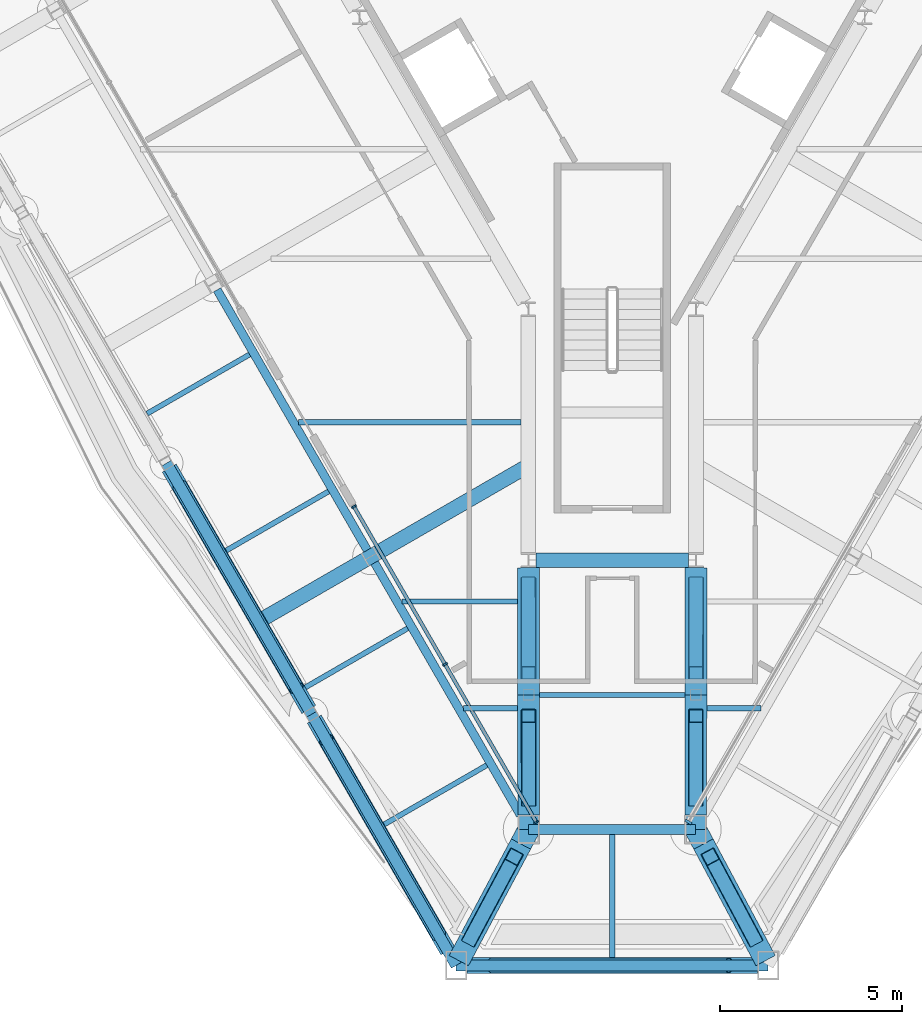
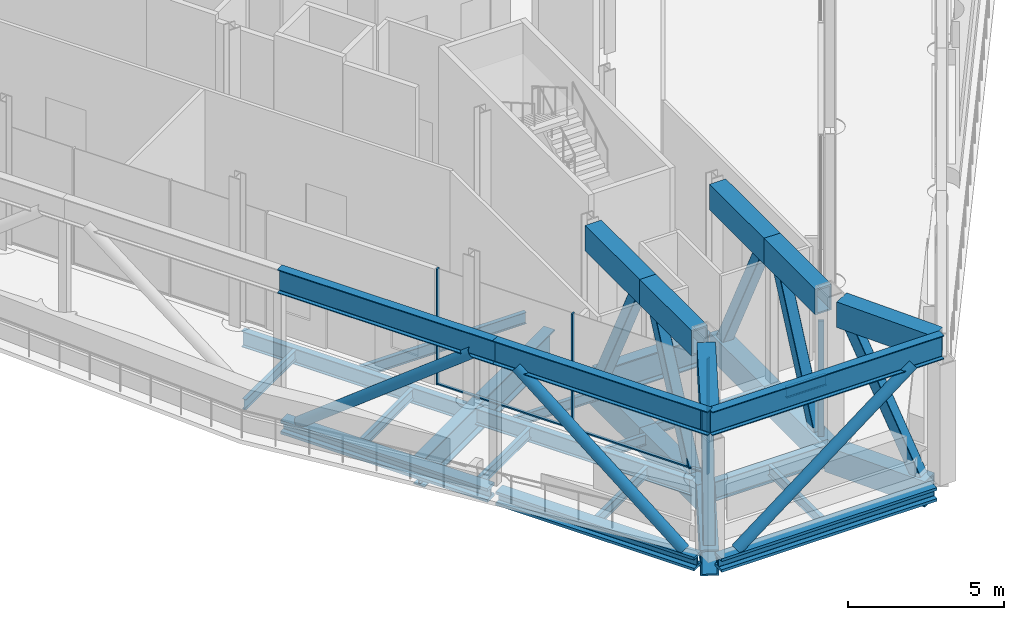
# One storey, part 5 of 24: 33 beams, 15 members, 2 elements without a shape of their own.
"""IFC4 building model written with IfcOpenShell, lengths in metres."""

from ifc_helpers import new_model, si_unit, direction, frame, origin, origin_2d, place, context, subcontext, project, spatial, rectangle, hollow_rectangle, hollow_circle, i_section, extrude, material, material_profile, profile_set, type_object, element, aggregate, save


model = new_model("IFC4")

# Units and contexts
model_context = context("Model", 3, precision=1e-05, world=origin(), true_north=direction((0.0, 1.0)))
body_context = subcontext(model_context, "Body", "Model", "MODEL_VIEW")
ifc_project = project(units=[si_unit("LENGTHUNIT", "METRE"), si_unit("AREAUNIT", "SQUARE_METRE"), si_unit("VOLUMEUNIT", "CUBIC_METRE"), si_unit("PLANEANGLEUNIT", "RADIAN"), si_unit("MASSUNIT", "GRAM", prefix="KILO")], contexts=[model_context])

# Site, building, storey
site_placement = place(None, origin())
site = spatial("IfcSite", under=ifc_project, at=site_placement, CompositionType="ELEMENT")
building_placement = place(site_placement, origin())
building = spatial("IfcBuilding", under=site, at=building_placement, Name="Verrane Prism Tower", CompositionType="ELEMENT")
storey_placement = place(building_placement, frame((0.0, 0.0, 200.60009765625)))
storey = spatial("IfcBuildingStorey", under=building, at=storey_placement, Name="L50", CompositionType="ELEMENT", Elevation=200.60009765625)

# Beams
ifc_material_1 = material(Name="Steel A992", Category="steel")
ifc_material_profile_1 = material_profile(ifc_material_1, i_section(OverallWidth=0.44189453125, OverallDepth=0.53076171875, WebThickness=0.06591796875, FlangeThickness=0.105712890625, FilletRadius=0.01513671875, at=origin_2d()), Name="W14x605")
ifc_profile_set_1 = profile_set([ifc_material_profile_1], Name="Steel A992")
beam_type_1 = type_object("IfcBeamType", Name="Belt truss chord W14x605", PredefinedType="BEAM", material=ifc_profile_set_1)
beam_1_placement = place(storey_placement, frame((-12.15380859375, -16.3720703125, -0.4248046875), z_axis=(0.500208494112, -0.865904996185, 0.0), x_axis=(0.865904996185, 0.500208494112, 0.0)))
element("IfcBeam", 1, at=beam_1_placement, inside=storey, type_object=beam_type_1, Name="Belt truss chord L50", PredefinedType="BEAM", context=body_context, shape_type="SweptSolid", body=[
    extrude(i_section(OverallWidth=0.44189453125, OverallDepth=0.53076171875, WebThickness=0.06591796875, FlangeThickness=0.105712890625, FilletRadius=0.01513671875, at=origin_2d()), origin(), (0.0, 0.0, 1.0), 7.652099609375),
])
beam_2_placement = place(storey_placement, frame((-8.173828125, -23.261962890625, -0.4248046875), z_axis=(0.499227926312, -0.866470702096, 0.0), x_axis=(0.866470702096, 0.499227926312, 0.0)))
element("IfcBeam", 2, at=beam_2_placement, inside=storey, type_object=beam_type_1, Name="Belt truss chord L50", PredefinedType="BEAM", context=body_context, shape_type="SweptSolid", body=[
    extrude(i_section(OverallWidth=0.44189453125, OverallDepth=0.53076171875, WebThickness=0.06591796875, FlangeThickness=0.105712890625, FilletRadius=0.01513671875, at=origin_2d()), origin(), (0.0, 0.0, 1.0), 7.337890625),
])
beam_3_placement = place(storey_placement, frame((-3.97998046875, -30.02001953125, -0.4248046875), z_axis=(1.0, 0.0, 0.0), x_axis=(0.0, 1.0, 0.0)))
element("IfcBeam", 3, at=beam_3_placement, inside=storey, type_object=beam_type_1, Name="Belt truss chord L50", PredefinedType="BEAM", context=body_context, shape_type="SweptSolid", body=[
    extrude(i_section(OverallWidth=0.44189453125, OverallDepth=0.53076171875, WebThickness=0.06591796875, FlangeThickness=0.105712890625, FilletRadius=0.01513671875, at=origin_2d()), origin(), (0.0, 0.0, 1.0), 7.9599609375),
])
ifc_material_2 = material(Name="Steel A992", Category="steel")
ifc_material_profile_2 = material_profile(ifc_material_2, i_section(OverallWidth=0.307373046875, OverallDepth=0.927001953125, WebThickness=0.01953125, FlangeThickness=0.031982421875, FilletRadius=0.01904296875, at=origin_2d()), Name="W36x194")
ifc_profile_set_2 = profile_set([ifc_material_profile_2], Name="Steel A992")
beam_type_2 = type_object("IfcBeamType", Name="Belt truss chord W36x194", PredefinedType="BEAM", material=ifc_profile_set_2)
beam_4_placement = place(storey_placement, frame((-12.22998046875, -16.239990234375, 5.176513671875), z_axis=(0.500197848917, -0.865911145522, 0.0), x_axis=(0.865911145522, 0.500197848917, 0.0)))
element("IfcBeam", 4, at=beam_4_placement, inside=storey, type_object=beam_type_2, Name="Belt truss chord L50", PredefinedType="BEAM", context=body_context, shape_type="SweptSolid", body=[
    extrude(i_section(OverallWidth=0.307373046875, OverallDepth=0.927001953125, WebThickness=0.01953125, FlangeThickness=0.031982421875, FilletRadius=0.01904296875, at=origin_2d()), origin(), (0.0, 0.0, 1.0), 7.956787109375),
])
beam_5_placement = place(storey_placement, frame((-8.25, -23.1298828125, 5.176513671875), z_axis=(0.4992404173, -0.866463505137, 0.0), x_axis=(0.866463505137, 0.4992404173, 0.0)))
element("IfcBeam", 5, at=beam_5_placement, inside=storey, type_object=beam_type_2, Name="Belt truss chord L50", PredefinedType="BEAM", context=body_context, shape_type="SweptSolid", body=[
    extrude(i_section(OverallWidth=0.307373046875, OverallDepth=0.927001953125, WebThickness=0.01953125, FlangeThickness=0.031982421875, FilletRadius=0.01904296875, at=origin_2d()), origin(), (0.0, 0.0, 1.0), 7.951904296875),
])
beam_6_placement = place(storey_placement, frame((-4.280029296875, -30.02001953125, 5.176513671875), z_axis=(1.0, 0.0, 0.0), x_axis=(0.0, 1.0, 0.0)))
element("IfcBeam", 6, at=beam_6_placement, inside=storey, type_object=beam_type_2, Name="Belt truss chord L50", PredefinedType="BEAM", context=body_context, shape_type="SweptSolid", body=[
    extrude(i_section(OverallWidth=0.307373046875, OverallDepth=0.927001953125, WebThickness=0.01953125, FlangeThickness=0.031982421875, FilletRadius=0.01904296875, at=origin_2d()), origin(), (0.0, 0.0, 1.0), 8.56005859375),
])

# Members
ifc_material_3 = material(Name="Steel A500 Grade C", Category="steel")
ifc_material_profile_3 = material_profile(ifc_material_3, hollow_circle(Radius=0.203125, WallThickness=0.0126953125, at=origin_2d()), Name="HSS16.000x0.500")
ifc_profile_set_3 = profile_set([ifc_material_profile_3], Name="Steel A500 Grade C")
member_type_1 = type_object("IfcMemberType", Name="Belt truss diagonal HSS16.000x0.500", PredefinedType="BRACE", material=ifc_profile_set_3)
member_1_placement = place(storey_placement, frame((-3.310302734375, -30.02001953125, -0.1591796875), z_axis=(0.793941121087, 0.0, 0.607994651495), x_axis=(0.0, 1.0, 0.0)))
element("IfcMember", 7, at=member_1_placement, inside=storey, type_object=member_type_1, Name="Belt truss diagonal L50", PredefinedType="BRACE", context=body_context, shape_type="SweptSolid", body=[
    extrude(hollow_circle(Radius=0.203125, WallThickness=0.0126953125, at=origin_2d()), origin(), (0.0, 0.0, 1.0), 8.2021484375),
])
member_2_placement = place(storey_placement, frame((-11.871337890625, -16.86083984375, -0.1591796875), z_axis=(0.39493033552, -0.683684649303, 0.61368178268), x_axis=(0.86591305348, 0.500194545965, 0.0)))
element("IfcMember", 8, at=member_2_placement, inside=storey, type_object=member_type_1, Name="Belt truss diagonal L50", PredefinedType="BRACE", context=body_context, shape_type="SweptSolid", body=[
    extrude(hollow_circle(Radius=0.203125, WallThickness=0.0126953125, at=origin_2d()), origin(), (0.0, 0.0, 1.0), 8.1259765625),
])
member_3_placement = place(storey_placement, frame((-4.755615234375, -29.194580078125, -0.1591796875), z_axis=(-0.388800054285, 0.674779999428, 0.627300940666), x_axis=(-0.866461191339, -0.499244433022, 0.0)))
element("IfcMember", 9, at=member_3_placement, inside=storey, type_object=member_type_1, Name="Belt truss diagonal L50", PredefinedType="BRACE", context=body_context, shape_type="SweptSolid", body=[
    extrude(hollow_circle(Radius=0.203125, WallThickness=0.0126953125, at=origin_2d()), origin(), (0.0, 0.0, 1.0), 7.94970703125),
])

# Beams
ifc_material_4 = material(Name="Steel A992", Category="steel")
ifc_material_profile_4 = material_profile(ifc_material_4, i_section(OverallWidth=0.2666015625, OverallDepth=0.7568359375, WebThickness=0.013916015625, FlangeThickness=0.019287109375, FilletRadius=0.0166015625, at=origin_2d()), Name="W30x108")
ifc_profile_set_4 = profile_set([ifc_material_profile_4], Name="Steel A992")
beam_type_3 = type_object("IfcBeamType", Name="Chamfer spandrel beam W30x108", PredefinedType="SPANDREL", material=ifc_profile_set_4)
beam_7_placement = place(storey_placement, frame((-2.2900390625, -26.2900390625, -0.53857421875), z_axis=(1.0, 0.0, 0.0), x_axis=(0.0, 1.0, 0.0)))
element("IfcBeam", 10, at=beam_7_placement, inside=storey, type_object=beam_type_3, Name="Chamfer spandrel beam L50", PredefinedType="SPANDREL", context=body_context, shape_type="SweptSolid", body=[
    extrude(i_section(OverallWidth=0.2666015625, OverallDepth=0.7568359375, WebThickness=0.013916015625, FlangeThickness=0.019287109375, FilletRadius=0.0166015625, at=origin_2d()), origin(), (0.0, 0.0, 1.0), 4.580078125),
])
ifc_material_5 = material(Name="Steel A992", Category="steel")
ifc_material_profile_5 = material_profile(ifc_material_5, i_section(OverallWidth=0.140380859375, OverallDepth=0.40380859375, WebThickness=0.007080078125, FlangeThickness=0.01123046875, FilletRadius=0.01025390625, at=origin_2d()), Name="W16x31")
ifc_profile_set_5 = profile_set([ifc_material_profile_5], Name="Steel A992")
beam_type_4 = type_object("IfcBeamType", Name="Floor beam W16x31", PredefinedType="BEAM", material=ifc_profile_set_5)
beam_8_placement = place(storey_placement, frame((-6.25439453125, -26.15087890625, -0.362060546875), z_axis=(0.866027848477, 0.499995765644, 0.0), x_axis=(-0.499995765644, 0.866027848477, 0.0)))
element("IfcBeam", 11, at=beam_8_placement, inside=storey, type_object=beam_type_4, Name="Floor beam L50", PredefinedType="BEAM", context=body_context, shape_type="SweptSolid", body=[
    extrude(i_section(OverallWidth=0.140380859375, OverallDepth=0.40380859375, WebThickness=0.007080078125, FlangeThickness=0.01123046875, FilletRadius=0.01025390625, at=origin_2d()), origin(), (0.0, 0.0, 1.0), 3.24755859375),
])
beam_9_placement = place(storey_placement, frame((-8.4208984375, -22.392578125, -0.362060546875), z_axis=(0.866028841934, 0.499994044904, 0.0), x_axis=(-0.499994044904, 0.866028841934, 0.0)))
element("IfcBeam", 12, at=beam_9_placement, inside=storey, type_object=beam_type_4, Name="Floor beam L50", PredefinedType="BEAM", context=body_context, shape_type="SweptSolid", body=[
    extrude(i_section(OverallWidth=0.140380859375, OverallDepth=0.40380859375, WebThickness=0.007080078125, FlangeThickness=0.01123046875, FilletRadius=0.01025390625, at=origin_2d()), origin(), (0.0, 0.0, 1.0), 3.2421875),
])
beam_10_placement = place(storey_placement, frame((-10.590576171875, -18.63623046875, -0.362060546875), z_axis=(0.86601506192, 0.500017912207, 0.0), x_axis=(-0.500017912207, 0.86601506192, 0.0)))
element("IfcBeam", 13, at=beam_10_placement, inside=storey, type_object=beam_type_4, Name="Floor beam L50", PredefinedType="BEAM", context=body_context, shape_type="SweptSolid", body=[
    extrude(i_section(OverallWidth=0.140380859375, OverallDepth=0.40380859375, WebThickness=0.007080078125, FlangeThickness=0.01123046875, FilletRadius=0.01025390625, at=origin_2d()), origin(), (0.0, 0.0, 1.0), 3.24267578125),
])
beam_11_placement = place(storey_placement, frame((-12.760009765625, -14.879638671875, -0.362060546875), z_axis=(0.866021460221, 0.500006830391, 0.0), x_axis=(-0.500006830391, 0.866021460221, 0.0)))
element("IfcBeam", 14, at=beam_11_placement, inside=storey, type_object=beam_type_4, Name="Floor beam L50", PredefinedType="BEAM", context=body_context, shape_type="SweptSolid", body=[
    extrude(i_section(OverallWidth=0.140380859375, OverallDepth=0.40380859375, WebThickness=0.007080078125, FlangeThickness=0.01123046875, FilletRadius=0.01025390625, at=origin_2d()), origin(), (0.0, 0.0, 1.0), 3.2451171875),
])
beam_12_placement = place(storey_placement, frame((-4.080322265625, -22.96337890625, -0.362060546875), z_axis=(1.0, 0.0, 0.0), x_axis=(0.0, 1.0, 0.0)))
element("IfcBeam", 15, at=beam_12_placement, inside=storey, type_object=beam_type_4, Name="Floor beam L50", PredefinedType="BEAM", context=body_context, shape_type="SweptSolid", body=[
    extrude(i_section(OverallWidth=0.140380859375, OverallDepth=0.40380859375, WebThickness=0.007080078125, FlangeThickness=0.01123046875, FilletRadius=0.01025390625, at=origin_2d()), origin(), (0.0, 0.0, 1.0), 1.48583984375),
])
beam_13_placement = place(storey_placement, frame((-5.772216796875, -20.03662109375, -0.362060546875), z_axis=(1.0, 0.0, 0.0), x_axis=(0.0, 1.0, 0.0)))
element("IfcBeam", 16, at=beam_13_placement, inside=storey, type_object=beam_type_4, Name="Floor beam L50", PredefinedType="BEAM", context=body_context, shape_type="SweptSolid", body=[
    extrude(i_section(OverallWidth=0.140380859375, OverallDepth=0.40380859375, WebThickness=0.007080078125, FlangeThickness=0.01123046875, FilletRadius=0.01025390625, at=origin_2d()), origin(), (0.0, 0.0, 1.0), 3.173828125),
])
beam_14_placement = place(storey_placement, frame((2.594482421875, -22.96337890625, -0.362060546875), z_axis=(1.0, 0.0, 0.0), x_axis=(0.0, 1.0, 0.0)))
element("IfcBeam", 17, at=beam_14_placement, inside=storey, type_object=beam_type_4, Name="Floor beam L50", PredefinedType="BEAM", context=body_context, shape_type="SweptSolid", body=[
    extrude(i_section(OverallWidth=0.140380859375, OverallDepth=0.40380859375, WebThickness=0.007080078125, FlangeThickness=0.01123046875, FilletRadius=0.01025390625, at=origin_2d()), origin(), (0.0, 0.0, 1.0), 1.48583984375),
])
beam_15_placement = place(storey_placement, frame((0.0, -29.799072265625, -0.362060546875), z_axis=(0.0, 1.0, 0.0), x_axis=(-1.0, 0.0, 0.0)))
element("IfcBeam", 18, at=beam_15_placement, inside=storey, type_object=beam_type_4, Name="Floor beam L50", PredefinedType="BEAM", context=body_context, shape_type="SweptSolid", body=[
    extrude(i_section(OverallWidth=0.140380859375, OverallDepth=0.40380859375, WebThickness=0.007080078125, FlangeThickness=0.01123046875, FilletRadius=0.01025390625, at=origin_2d()), origin(), (0.0, 0.0, 1.0), 3.37548828125),
])
beam_16_placement = place(storey_placement, frame((-1.9951171875, -22.594970703125, -0.362060546875), z_axis=(1.0, 0.0, 0.0), x_axis=(0.0, 1.0, 0.0)))
element("IfcBeam", 19, at=beam_16_placement, inside=storey, type_object=beam_type_4, Name="Floor beam L50", PredefinedType="BEAM", context=body_context, shape_type="SweptSolid", body=[
    extrude(i_section(OverallWidth=0.140380859375, OverallDepth=0.40380859375, WebThickness=0.007080078125, FlangeThickness=0.01123046875, FilletRadius=0.01025390625, at=origin_2d()), origin(), (0.0, 0.0, 1.0), 3.990234375),
])
ifc_material_6 = material(Name="Steel A992", Category="steel")
ifc_material_profile_6 = material_profile(ifc_material_6, i_section(OverallWidth=0.15234375, OverallDepth=0.449462890625, WebThickness=0.007568359375, FlangeThickness=0.0107421875, FilletRadius=0.01025390625, at=origin_2d()), Name="W18x35")
ifc_profile_set_6 = profile_set([ifc_material_profile_6], Name="Steel A992")
beam_type_5 = type_object("IfcBeamType", Name="Floor beam W18x35", PredefinedType="BEAM", material=ifc_profile_set_6)
beam_17_placement = place(storey_placement, frame((-8.61181640625, -15.11669921875, -0.385009765625), z_axis=(1.0, 0.0, 0.0), x_axis=(0.0, 1.0, 0.0)))
element("IfcBeam", 20, at=beam_17_placement, inside=storey, type_object=beam_type_5, Name="Floor beam L50", PredefinedType="BEAM", context=body_context, shape_type="SweptSolid", body=[
    extrude(i_section(OverallWidth=0.15234375, OverallDepth=0.449462890625, WebThickness=0.007568359375, FlangeThickness=0.0107421875, FilletRadius=0.01025390625, at=origin_2d()), origin(), (0.0, 0.0, 1.0), 6.10986328125),
])

# Curtain wall, members
ifc_material_7 = material(Name="Aluminium framed insulated glazing", Category="aluminium")
curtain_wall_type_1 = type_object("IfcCurtainWallType", Name="Curtain wall CW-C 4200 module", PredefinedType="NOTDEFINED", material=ifc_material_7)
curtain_wall_1_placement = place(storey_placement, origin())
curtain_wall_1 = element("IfcCurtainWall", 21, at=curtain_wall_1_placement, inside=storey, type_object=curtain_wall_type_1, Name="Refuge lounge glazing south-west face L50 3", PredefinedType="NOTDEFINED")
ifc_material_8 = material(Name="Aluminium alloy 6063-T6", Category="aluminium")
ifc_material_profile_7 = material_profile(ifc_material_8, rectangle(XDim=0.139892578125, YDim=0.050048828125, at=origin_2d()), Name="Mullion 50x140 aluminium")
ifc_profile_set_7 = profile_set([ifc_material_profile_7], Name="Aluminium alloy 6063-T6")
member_type_2 = type_object("IfcMemberType", Name="Mullion 50x140 aluminium", PredefinedType="MULLION", material=ifc_profile_set_7)
member_4_placement = place(storey_placement, frame((-7.08544921875, -17.4296875, 0.0), z_axis=(0.0, 0.0, 1.0), x_axis=(0.866027229323, 0.499996838061, 0.0)))
member_4 = element("IfcMember", 22, at=member_4_placement, type_object=member_type_2, Name="CW50.4.3 mullion 1", PredefinedType="MULLION", context=body_context, shape_type="SweptSolid", body=[
    extrude(rectangle(XDim=0.139892578125, YDim=0.050048828125, at=origin_2d()), origin(), (0.0, 0.0, 1.0), 4.522216796875),
])
member_5_placement = place(storey_placement, frame((-4.584716796875, -21.76123046875, 0.0), z_axis=(0.0, 0.0, 1.0), x_axis=(0.866027229323, 0.499996838061, 0.0)))
member_5 = element("IfcMember", 23, at=member_5_placement, type_object=member_type_2, Name="CW50.4.3 mullion 2", PredefinedType="MULLION", context=body_context, shape_type="SweptSolid", body=[
    extrude(rectangle(XDim=0.139892578125, YDim=0.050048828125, at=origin_2d()), origin(), (0.0, 0.0, 1.0), 4.522216796875),
])
member_6_placement = place(storey_placement, frame((-2.083740234375, -26.0927734375, 0.0), z_axis=(0.0, 0.0, 1.0), x_axis=(0.866027229323, 0.499996838061, 0.0)))
member_6 = element("IfcMember", 24, at=member_6_placement, type_object=member_type_2, Name="CW50.4.3 mullion 3", PredefinedType="MULLION", context=body_context, shape_type="SweptSolid", body=[
    extrude(rectangle(XDim=0.139892578125, YDim=0.050048828125, at=origin_2d()), origin(), (0.0, 0.0, 1.0), 4.522216796875),
])

# Curtain wall, member
ifc_material_9 = material(Name="Aluminium framed insulated glazing", Category="aluminium")
curtain_wall_type_2 = type_object("IfcCurtainWallType", Name="Curtain wall CW-A 8400 module", PredefinedType="NOTDEFINED", material=ifc_material_9)
curtain_wall_2_placement = place(storey_placement, origin())
curtain_wall_2 = element("IfcCurtainWall", 25, at=curtain_wall_2_placement, inside=storey, type_object=curtain_wall_type_2, Name="Refuge lounge glazing south-east face L50 1", PredefinedType="NOTDEFINED")
ifc_material_10 = material(Name="Aluminium alloy 6063-T6", Category="aluminium")
ifc_material_profile_8 = material_profile(ifc_material_10, rectangle(XDim=0.199951171875, YDim=0.070068359375, at=origin_2d()), Name="Mullion 70x200 aluminium")
ifc_profile_set_8 = profile_set([ifc_material_profile_8], Name="Aluminium alloy 6063-T6")
member_type_3 = type_object("IfcMemberType", Name="Mullion 70x200 aluminium", PredefinedType="MULLION", material=ifc_profile_set_8)
member_7_placement = place(storey_placement, frame((2.0888671875, -26.084228515625, 0.0), z_axis=(0.0, 0.0, 1.0), x_axis=(-0.866027425724, 0.499996497882, 0.0)))
member_7 = element("IfcMember", 26, at=member_7_placement, type_object=member_type_3, Name="CW50.6.1 mullion 1", PredefinedType="MULLION", context=body_context, shape_type="SweptSolid", body=[
    extrude(rectangle(XDim=0.199951171875, YDim=0.070068359375, at=origin_2d()), origin(), (0.0, 0.0, 1.0), 4.522216796875),
])
aggregate(curtain_wall_2, [member_7])

# Beams
ifc_material_11 = material(Name="Steel A572 Grade 50", Category="steel")
ifc_material_profile_9 = material_profile(ifc_material_11, hollow_rectangle(XDim=0.60009765625, YDim=1.0, WallThickness=0.06005859375, at=origin_2d()), Name="BOX 1000x600x60")
ifc_profile_set_9 = profile_set([ifc_material_profile_9], Name="Steel A572 Grade 50")
beam_type_6 = type_object("IfcBeamType", Name="Outrigger truss chord BOX 1000x600x60", PredefinedType="BEAM", material=ifc_profile_set_9)
beam_18_placement = place(storey_placement, frame((-4.066650390625, -29.6201171875, -0.66015625), z_axis=(0.470705736725, 0.882290263697, 0.0), x_axis=(-0.882290263697, 0.470705736725, 0.0)))
element("IfcBeam", 27, at=beam_18_placement, inside=storey, type_object=beam_type_6, Name="Outrigger truss chord L50", PredefinedType="BEAM", context=body_context, shape_type="SweptSolid", body=[
    extrude(hollow_rectangle(XDim=0.60009765625, YDim=1.0, WallThickness=0.06005859375, at=origin_2d()), origin(), (0.0, 0.0, 1.0), 3.7744140625),
])
beam_19_placement = place(storey_placement, frame((-2.2900390625, -26.2900390625, -0.66015625), z_axis=(-0.001321439216, 0.999999126899, 0.0), x_axis=(-0.999999126899, -0.001321439216, 0.0)))
element("IfcBeam", 28, at=beam_19_placement, inside=storey, type_object=beam_type_6, Name="Outrigger truss chord L50", PredefinedType="BEAM", context=body_context, shape_type="SweptSolid", body=[
    extrude(hollow_rectangle(XDim=0.60009765625, YDim=1.0, WallThickness=0.06005859375, at=origin_2d()), origin(), (0.0, 0.0, 1.0), 3.695068359375),
])
beam_20_placement = place(storey_placement, frame((-2.294921875, -22.594970703125, -0.66015625), z_axis=(-0.001400460779, 0.999999019354, 0.0), x_axis=(-0.999999019354, -0.001400460779, 0.0)))
element("IfcBeam", 29, at=beam_20_placement, inside=storey, type_object=beam_type_6, Name="Outrigger truss chord L50", PredefinedType="BEAM", context=body_context, shape_type="SweptSolid", body=[
    extrude(hollow_rectangle(XDim=0.60009765625, YDim=1.0, WallThickness=0.06005859375, at=origin_2d()), origin(), (0.0, 0.0, 1.0), 3.486572265625),
])
beam_21_placement = place(storey_placement, frame((-4.20947265625, -29.8876953125, 5.139892578125), z_axis=(0.470714094128, 0.882285804935, 0.0), x_axis=(-0.882285804935, 0.470714094128, 0.0)))
element("IfcBeam", 30, at=beam_21_placement, inside=storey, type_object=beam_type_6, Name="Outrigger truss chord L50", PredefinedType="BEAM", context=body_context, shape_type="SweptSolid", body=[
    extrude(hollow_rectangle(XDim=0.60009765625, YDim=1.0, WallThickness=0.06005859375, at=origin_2d()), origin(), (0.0, 0.0, 1.0), 3.62451171875),
])
beam_22_placement = place(storey_placement, frame((-2.29052734375, -25.889892578125, 5.139892578125), z_axis=(-0.001333727326, 0.999999110585, 0.0), x_axis=(-0.999999110585, -0.001333727326, 0.0)))
element("IfcBeam", 31, at=beam_22_placement, inside=storey, type_object=beam_type_6, Name="Outrigger truss chord L50", PredefinedType="BEAM", context=body_context, shape_type="SweptSolid", body=[
    extrude(hollow_rectangle(XDim=0.60009765625, YDim=1.0, WallThickness=0.06005859375, at=origin_2d()), origin(), (0.0, 0.0, 1.0), 3.294921875),
])
beam_23_placement = place(storey_placement, frame((-2.294921875, -22.594970703125, 5.139892578125), z_axis=(-0.001400460779, 0.999999019354, 0.0), x_axis=(-0.999999019354, -0.001400460779, 0.0)))
element("IfcBeam", 32, at=beam_23_placement, inside=storey, type_object=beam_type_6, Name="Outrigger truss chord L50", PredefinedType="BEAM", context=body_context, shape_type="SweptSolid", body=[
    extrude(hollow_rectangle(XDim=0.60009765625, YDim=1.0, WallThickness=0.06005859375, at=origin_2d()), origin(), (0.0, 0.0, 1.0), 3.486572265625),
])
beam_24_placement = place(storey_placement, frame((4.066650390625, -29.6201171875, -0.66015625), z_axis=(-0.470705736725, 0.882290263697, 0.0), x_axis=(-0.882290263697, -0.470705736725, 0.0)))
element("IfcBeam", 33, at=beam_24_placement, inside=storey, type_object=beam_type_6, Name="Outrigger truss chord L50", PredefinedType="BEAM", context=body_context, shape_type="SweptSolid", body=[
    extrude(hollow_rectangle(XDim=0.60009765625, YDim=1.0, WallThickness=0.06005859375, at=origin_2d()), origin(), (0.0, 0.0, 1.0), 3.7744140625),
])
beam_25_placement = place(storey_placement, frame((2.2900390625, -26.2900390625, -0.66015625), z_axis=(0.001321439216, 0.999999126899, 0.0), x_axis=(-0.999999126899, 0.001321439216, 0.0)))
element("IfcBeam", 34, at=beam_25_placement, inside=storey, type_object=beam_type_6, Name="Outrigger truss chord L50", PredefinedType="BEAM", context=body_context, shape_type="SweptSolid", body=[
    extrude(hollow_rectangle(XDim=0.60009765625, YDim=1.0, WallThickness=0.06005859375, at=origin_2d()), origin(), (0.0, 0.0, 1.0), 3.695068359375),
])
beam_26_placement = place(storey_placement, frame((2.294921875, -22.594970703125, -0.66015625), z_axis=(0.001400460779, 0.999999019354, 0.0), x_axis=(-0.999999019354, 0.001400460779, 0.0)))
element("IfcBeam", 35, at=beam_26_placement, inside=storey, type_object=beam_type_6, Name="Outrigger truss chord L50", PredefinedType="BEAM", context=body_context, shape_type="SweptSolid", body=[
    extrude(hollow_rectangle(XDim=0.60009765625, YDim=1.0, WallThickness=0.06005859375, at=origin_2d()), origin(), (0.0, 0.0, 1.0), 3.486572265625),
])
beam_27_placement = place(storey_placement, frame((4.20947265625, -29.8876953125, 5.139892578125), z_axis=(-0.470714094128, 0.882285804935, 0.0), x_axis=(-0.882285804935, -0.470714094128, 0.0)))
element("IfcBeam", 36, at=beam_27_placement, inside=storey, type_object=beam_type_6, Name="Outrigger truss chord L50", PredefinedType="BEAM", context=body_context, shape_type="SweptSolid", body=[
    extrude(hollow_rectangle(XDim=0.60009765625, YDim=1.0, WallThickness=0.06005859375, at=origin_2d()), origin(), (0.0, 0.0, 1.0), 3.62451171875),
])
beam_28_placement = place(storey_placement, frame((2.29052734375, -25.889892578125, 5.139892578125), z_axis=(0.001333727326, 0.999999110585, 0.0), x_axis=(-0.999999110585, 0.001333727326, 0.0)))
element("IfcBeam", 37, at=beam_28_placement, inside=storey, type_object=beam_type_6, Name="Outrigger truss chord L50", PredefinedType="BEAM", context=body_context, shape_type="SweptSolid", body=[
    extrude(hollow_rectangle(XDim=0.60009765625, YDim=1.0, WallThickness=0.06005859375, at=origin_2d()), origin(), (0.0, 0.0, 1.0), 3.294921875),
])
beam_29_placement = place(storey_placement, frame((2.294921875, -22.594970703125, 5.139892578125), z_axis=(0.001400460779, 0.999999019354, 0.0), x_axis=(-0.999999019354, 0.001400460779, 0.0)))
element("IfcBeam", 38, at=beam_29_placement, inside=storey, type_object=beam_type_6, Name="Outrigger truss chord L50", PredefinedType="BEAM", context=body_context, shape_type="SweptSolid", body=[
    extrude(hollow_rectangle(XDim=0.60009765625, YDim=1.0, WallThickness=0.06005859375, at=origin_2d()), origin(), (0.0, 0.0, 1.0), 3.486572265625),
])

# Members
ifc_material_12 = material(Name="Steel A500 Grade C", Category="steel")
ifc_material_profile_10 = material_profile(ifc_material_12, hollow_rectangle(XDim=0.406494140625, YDim=0.406494140625, WallThickness=0.01904296875, InnerFilletRadius=0.009521484375, OuterFilletRadius=0.028564453125, at=origin_2d()), Name="HSS16x16x3/4")
ifc_profile_set_10 = profile_set([ifc_material_profile_10], Name="Steel A500 Grade C")
member_type_4 = type_object("IfcMemberType", Name="Outrigger truss diagonal HSS16x16x3/4", PredefinedType="BRACE", material=ifc_profile_set_10)
member_8_placement = place(storey_placement, frame((-3.880126953125, -29.2705078125, -0.22021484375), z_axis=(0.215188373146, 0.403323737116, 0.88939525923), x_axis=(-0.882278103252, 0.470728529539, 0.0)))
element("IfcMember", 39, at=member_8_placement, inside=storey, type_object=member_type_4, Name="Outrigger truss diagonal L50", PredefinedType="BRACE", context=body_context, shape_type="SweptSolid", body=[
    extrude(hollow_rectangle(XDim=0.406494140625, YDim=0.406494140625, WallThickness=0.01904296875, InnerFilletRadius=0.009521484375, OuterFilletRadius=0.028564453125, at=origin_2d()), origin(), (0.0, 0.0, 1.0), 5.531982421875),
])
member_9_placement = place(storey_placement, frame((-2.291015625, -25.46240234375, -0.22021484375), z_axis=(-0.000584943988, 0.421564632593, 0.906798168496), x_axis=(-0.999999037347, -0.001387553366, 0.0)))
element("IfcMember", 40, at=member_9_placement, inside=storey, type_object=member_type_4, Name="Outrigger truss diagonal L50", PredefinedType="BRACE", context=body_context, shape_type="SweptSolid", body=[
    extrude(hollow_rectangle(XDim=0.406494140625, YDim=0.406494140625, WallThickness=0.01904296875, InnerFilletRadius=0.009521484375, OuterFilletRadius=0.028564453125, at=origin_2d()), origin(), (0.0, 0.0, 1.0), 5.42578125),
])
member_10_placement = place(storey_placement, frame((-2.299072265625, -19.550537109375, -0.22021484375), z_axis=(0.000577450088, -0.44570262934, 0.89518089387), x_axis=(0.999999160718, 0.00129559389, 0.0)))
element("IfcMember", 41, at=member_10_placement, inside=storey, type_object=member_type_4, Name="Outrigger truss diagonal L50", PredefinedType="BRACE", context=body_context, shape_type="SweptSolid", body=[
    extrude(hollow_rectangle(XDim=0.406494140625, YDim=0.406494140625, WallThickness=0.01904296875, InnerFilletRadius=0.009521484375, OuterFilletRadius=0.028564453125, at=origin_2d()), origin(), (0.0, 0.0, 1.0), 5.496337890625),
])
member_11_placement = place(storey_placement, frame((3.880126953125, -29.2705078125, -0.22021484375), z_axis=(-0.215188373146, 0.403323737116, 0.88939525923), x_axis=(-0.882278103252, -0.470728529539, 0.0)))
element("IfcMember", 42, at=member_11_placement, inside=storey, type_object=member_type_4, Name="Outrigger truss diagonal L50", PredefinedType="BRACE", context=body_context, shape_type="SweptSolid", body=[
    extrude(hollow_rectangle(XDim=0.406494140625, YDim=0.406494140625, WallThickness=0.01904296875, InnerFilletRadius=0.009521484375, OuterFilletRadius=0.028564453125, at=origin_2d()), origin(), (0.0, 0.0, 1.0), 5.531982421875),
])
member_12_placement = place(storey_placement, frame((2.291015625, -25.46240234375, -0.22021484375), z_axis=(0.000584943988, 0.421564632593, 0.906798168496), x_axis=(-0.999999037347, 0.001387553366, 0.0)))
element("IfcMember", 43, at=member_12_placement, inside=storey, type_object=member_type_4, Name="Outrigger truss diagonal L50", PredefinedType="BRACE", context=body_context, shape_type="SweptSolid", body=[
    extrude(hollow_rectangle(XDim=0.406494140625, YDim=0.406494140625, WallThickness=0.01904296875, InnerFilletRadius=0.009521484375, OuterFilletRadius=0.028564453125, at=origin_2d()), origin(), (0.0, 0.0, 1.0), 5.42578125),
])
member_13_placement = place(storey_placement, frame((2.299072265625, -19.550537109375, -0.22021484375), z_axis=(-0.000577450088, -0.44570262934, 0.89518089387), x_axis=(0.999999160718, -0.00129559389, 0.0)))
element("IfcMember", 44, at=member_13_placement, inside=storey, type_object=member_type_4, Name="Outrigger truss diagonal L50", PredefinedType="BRACE", context=body_context, shape_type="SweptSolid", body=[
    extrude(hollow_rectangle(XDim=0.406494140625, YDim=0.406494140625, WallThickness=0.01904296875, InnerFilletRadius=0.009521484375, OuterFilletRadius=0.028564453125, at=origin_2d()), origin(), (0.0, 0.0, 1.0), 5.496337890625),
])

# Beams
ifc_material_13 = material(Name="Steel A992", Category="steel")
ifc_material_profile_11 = material_profile(ifc_material_13, i_section(OverallWidth=0.23046875, OverallDepth=0.6171875, WebThickness=0.01318359375, FlangeThickness=0.022216796875, FilletRadius=0.012939453125, at=origin_2d()), Name="W24x94")
ifc_profile_set_11 = profile_set([ifc_material_profile_11], Name="Steel A992")
beam_type_7 = type_object("IfcBeamType", Name="Spandrel beam W24x94", PredefinedType="SPANDREL", material=ifc_profile_set_11)
beam_30_placement = place(storey_placement, frame((-10.839599609375, -11.48388671875, -0.46875), z_axis=(0.499613933384, -0.866248184742, 0.0), x_axis=(0.866248184742, 0.499613933384, 0.0)))
element("IfcBeam", 45, at=beam_30_placement, inside=storey, type_object=beam_type_7, Name="Spandrel beam L50", PredefinedType="SPANDREL", context=body_context, shape_type="SweptSolid", body=[
    extrude(i_section(OverallWidth=0.23046875, OverallDepth=0.6171875, WebThickness=0.01318359375, FlangeThickness=0.022216796875, FilletRadius=0.012939453125, at=origin_2d()), origin(), (0.0, 0.0, 1.0), 8.2451171875),
])
beam_31_placement = place(storey_placement, frame((-6.51953125, -18.9736328125, -0.46875), z_axis=(0.500486844155, -0.865744141666, 0.0), x_axis=(0.865744141666, 0.500486844155, 0.0)))
element("IfcBeam", 46, at=beam_31_placement, inside=storey, type_object=beam_type_7, Name="Spandrel beam L50", PredefinedType="SPANDREL", context=body_context, shape_type="SweptSolid", body=[
    extrude(i_section(OverallWidth=0.23046875, OverallDepth=0.6171875, WebThickness=0.01318359375, FlangeThickness=0.022216796875, FilletRadius=0.012939453125, at=origin_2d()), origin(), (0.0, 0.0, 1.0), 7.98876953125),
])
ifc_material_14 = material(Name="Steel A992", Category="steel")
ifc_material_profile_12 = material_profile(ifc_material_14, i_section(OverallWidth=0.40380859375, OverallDepth=1.11767578125, WebThickness=0.026123046875, FlangeThickness=0.044921875, FilletRadius=0.02001953125, at=origin_2d()), Name="W44x335")
ifc_profile_set_12 = profile_set([ifc_material_profile_12], Name="Steel A992")
beam_type_8 = type_object("IfcBeamType", Name="Transfer girder W44x335", PredefinedType="BEAM", material=ifc_profile_set_12)
beam_32_placement = place(storey_placement, frame((-2.0966796875, -18.89990234375, -0.808837890625), z_axis=(1.0, 0.0, 0.0), x_axis=(0.0, 1.0, 0.0)))
element("IfcBeam", 47, at=beam_32_placement, inside=storey, type_object=beam_type_8, Name="Transfer girder L50", PredefinedType="BEAM", context=body_context, shape_type="SweptSolid", body=[
    extrude(i_section(OverallWidth=0.40380859375, OverallDepth=1.11767578125, WebThickness=0.026123046875, FlangeThickness=0.044921875, FilletRadius=0.02001953125, at=origin_2d()), origin(), (0.0, 0.0, 1.0), 4.193359375),
])
beam_33_placement = place(storey_placement, frame((-9.5263671875, -20.47802734375, -0.718994140625), z_axis=(0.866025284917, 0.500000205884, 0.0), x_axis=(-0.500000205884, 0.866025284917, 0.0)))
element("IfcBeam", 48, at=beam_33_placement, inside=storey, type_object=beam_type_8, Name="Transfer girder L50", PredefinedType="BEAM", context=body_context, shape_type="SweptSolid", body=[
    extrude(i_section(OverallWidth=0.40380859375, OverallDepth=1.11767578125, WebThickness=0.026123046875, FlangeThickness=0.044921875, FilletRadius=0.02001953125, at=origin_2d()), origin(), (0.0, 0.0, 1.0), 8.34423828125),
])

# Member
ifc_material_15 = material(Name="Aluminium alloy 6063-T6", Category="aluminium")
ifc_material_profile_13 = material_profile(ifc_material_15, rectangle(XDim=0.10009765625, YDim=0.050048828125, at=origin_2d()), Name="Transom 50x100 aluminium")
ifc_profile_set_13 = profile_set([ifc_material_profile_13], Name="Aluminium alloy 6063-T6")
member_type_5 = type_object("IfcMemberType", Name="Transom 50x100 aluminium", PredefinedType="USERDEFINED", material=ifc_profile_set_13)
member_14_placement = place(storey_placement, frame((-7.072998046875, -17.451416015625, 0.02490234375), z_axis=(0.499994176729, -0.866028765826, 0.0), x_axis=(0.866028765826, 0.499994176729, 0.0)))
member_14 = element("IfcMember", 49, at=member_14_placement, type_object=member_type_5, Name="CW50.4.3 transom 1", ObjectType="TRANSOM", PredefinedType="USERDEFINED", context=body_context, shape_type="SweptSolid", body=[
    extrude(rectangle(XDim=0.10009765625, YDim=0.050048828125, at=origin_2d()), origin(), (0.0, 0.0, 1.0), 4.95166015625),
])

member_15_placement = place(storey_placement, frame((-4.572021484375, -21.782958984375, 0.02490234375), z_axis=(0.499994176729, -0.866028765826, 0.0), x_axis=(0.866028765826, 0.499994176729, 0.0)))
member_15 = element("IfcMember", 50, at=member_15_placement, type_object=member_type_5, Name="CW50.4.3 transom 2", ObjectType="TRANSOM", PredefinedType="USERDEFINED", context=body_context, shape_type="SweptSolid", body=[
    extrude(rectangle(XDim=0.10009765625, YDim=0.050048828125, at=origin_2d()), origin(), (0.0, 0.0, 1.0), 4.95166015625),
])

aggregate(curtain_wall_1, [member_4, member_5, member_6, member_14, member_15])

save(model, "model.ifc")
